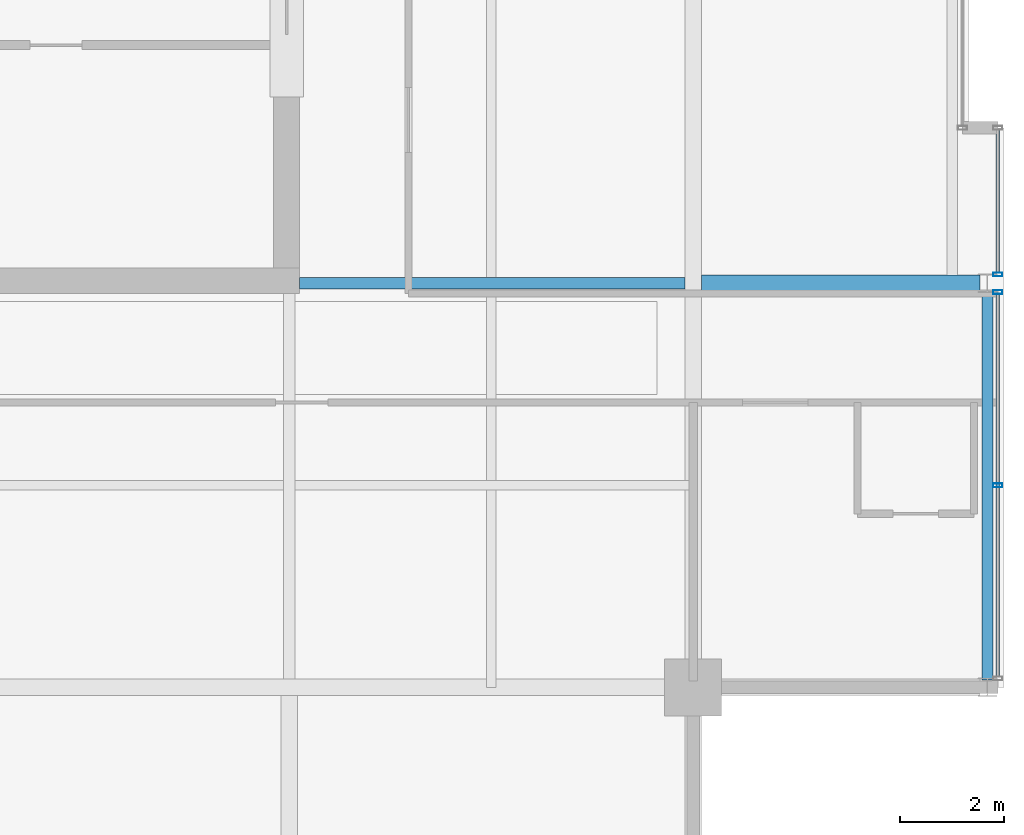
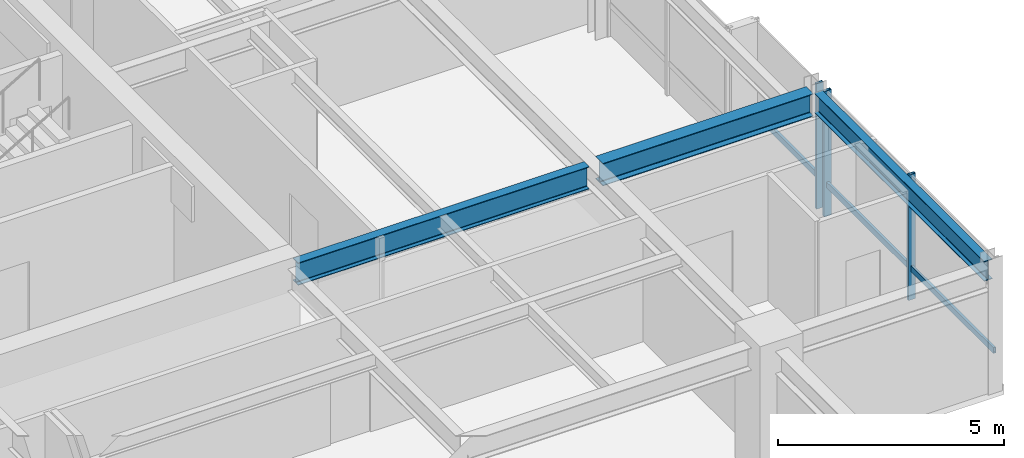
# One storey, part 16 of 33: 5 members, 3 beams, 2 elements without a shape of their own.
"""IFC4 building model written with IfcOpenShell, lengths in metres."""

from ifc_helpers import new_model, si_unit, direction, frame, origin, origin_2d, place, context, subcontext, project, spatial, hollow_rectangle, i_section, extrude, material, layer, layer_set, material_profile, profile_set, type_object, element, aggregate, save


model = new_model("IFC4")

# Units and contexts
model_context = context("Model", 3, precision=1e-05, world=origin(), true_north=direction((0.0, 1.0)))
body_context = subcontext(model_context, "Body", "Model", "MODEL_VIEW")
ifc_project = project(units=[si_unit("LENGTHUNIT", "METRE"), si_unit("AREAUNIT", "SQUARE_METRE"), si_unit("VOLUMEUNIT", "CUBIC_METRE"), si_unit("PLANEANGLEUNIT", "RADIAN"), si_unit("MASSUNIT", "GRAM", prefix="KILO")], contexts=[model_context])

# Site, building, storey
site_placement = place(None, origin())
site = spatial("IfcSite", under=ifc_project, at=site_placement, CompositionType="ELEMENT")
building_placement = place(site_placement, origin())
building = spatial("IfcBuilding", under=site, at=building_placement, Name="Drelvath Grand Hotel", CompositionType="ELEMENT")
storey_placement = place(building_placement, frame((0.0, 0.0, 279.60009765625)))
storey = spatial("IfcBuildingStorey", under=building, at=storey_placement, Name="L73", CompositionType="ELEMENT", Elevation=279.60009765625)

# Curtain wall, member
ifc_material_1 = material(Name="Platinum-Mist Anodised Aluminium Frame", Category="aluminium")
ifc_layer = layer(ifc_material_1, 0.199951171875)
ifc_layer_set = layer_set([ifc_layer], Name="Platinum-Mist Anodised Aluminium Frame")
curtain_wall_type = type_object("IfcCurtainWallType", Name="Stick Curtain Wall CW-05 Platinum Mist High-Rise", PredefinedType="NOTDEFINED", material=ifc_layer_set)
curtain_wall_1_placement = place(storey_placement, origin())
curtain_wall_1 = element("IfcCurtainWall", 1, at=curtain_wall_1_placement, inside=storey, type_object=curtain_wall_type, Name="L73 CW-05 Curtain Wall CW05-L73-ES1", PredefinedType="NOTDEFINED")
ifc_material_profile_1 = material_profile(ifc_material_1, hollow_rectangle(XDim=0.06494140625, YDim=0.159912109375, WallThickness=0.00390625, at=origin_2d()), Name="HSS160X65X4")
ifc_profile_set_1 = profile_set([ifc_material_profile_1], Name="Platinum-Mist Anodised Aluminium Frame")
member_type_1 = type_object("IfcMemberType", Name="Curtain Wall Horizontal Transom CW-05 HSS160X65X4", PredefinedType="USERDEFINED", material=ifc_profile_set_1)
member_1_placement = place(storey_placement, frame((22.080078125, 18.389892578125, 0.847412109375), z_axis=(0.0, -1.0, 0.0), x_axis=(1.0, 0.0, 0.0)))
member_1 = element("IfcMember", 2, at=member_1_placement, type_object=member_type_1, Name="CW05-L73-ES1 Sill Transom", ObjectType="TRANSOM", PredefinedType="USERDEFINED", context=body_context, shape_type="SweptSolid", body=[
    extrude(hollow_rectangle(XDim=0.06494140625, YDim=0.159912109375, WallThickness=0.00390625, at=origin_2d()), origin(), (0.0, 0.0, 1.0), 7.3798828125),
])

curtain_wall_2_placement = place(storey_placement, origin())
curtain_wall_2 = element("IfcCurtainWall", 3, at=curtain_wall_2_placement, inside=storey, type_object=curtain_wall_type, Name="L73 CW-05 Curtain Wall CW05-L73-ES2", PredefinedType="NOTDEFINED")
member_2_placement = place(storey_placement, frame((22.080078125, 21.56005859375, 0.847412109375), z_axis=(0.0, -1.0, 0.0), x_axis=(1.0, 0.0, 0.0)))
member_2 = element("IfcMember", 4, at=member_2_placement, type_object=member_type_1, Name="CW05-L73-ES2 Sill Transom", ObjectType="TRANSOM", PredefinedType="USERDEFINED", context=body_context, shape_type="SweptSolid", body=[
    extrude(hollow_rectangle(XDim=0.06494140625, YDim=0.159912109375, WallThickness=0.00390625, at=origin_2d()), origin(), (0.0, 0.0, 1.0), 2.75),
])

# Member
ifc_material_profile_2 = material_profile(ifc_material_1, hollow_rectangle(XDim=0.074951171875, YDim=0.179931640625, WallThickness=0.0048828125, at=origin_2d()), Name="HSS180X75X5")
ifc_profile_set_2 = profile_set([ifc_material_profile_2], Name="Platinum-Mist Anodised Aluminium Frame")
member_type_2 = type_object("IfcMemberType", Name="Curtain Wall Vertical Mullion CW-05 HSS180X75X5", PredefinedType="MULLION", material=ifc_profile_set_2)
member_3_placement = place(storey_placement, frame((22.080078125, 18.429931640625, 0.0), z_axis=(0.0, 0.0, 1.0), x_axis=(0.0, 1.0, 0.0)))
member_3 = element("IfcMember", 5, at=member_3_placement, type_object=member_type_2, Name="CW05-L73-ES1 Mullion 1", PredefinedType="MULLION", context=body_context, shape_type="SweptSolid", body=[
    extrude(hollow_rectangle(XDim=0.074951171875, YDim=0.179931640625, WallThickness=0.0048828125, at=origin_2d()), origin(), (0.0, 0.0, 1.0), 3.389892578125),
])

member_4_placement = place(storey_placement, frame((22.080078125, 14.7001953125, 0.0), z_axis=(0.0, 0.0, 1.0), x_axis=(0.0, 1.0, 0.0)))
member_4 = element("IfcMember", 6, at=member_4_placement, type_object=member_type_2, Name="CW05-L73-ES1 Mullion 2", PredefinedType="MULLION", context=body_context, shape_type="SweptSolid", body=[
    extrude(hollow_rectangle(XDim=0.074951171875, YDim=0.179931640625, WallThickness=0.0048828125, at=origin_2d()), origin(), (0.0, 0.0, 1.0), 3.389892578125),
])

aggregate(curtain_wall_1, [member_3, member_4, member_1])

member_5_placement = place(storey_placement, frame((22.080078125, 18.77001953125, 0.0), z_axis=(0.0, 0.0, 1.0), x_axis=(0.0, 1.0, 0.0)))
member_5 = element("IfcMember", 7, at=member_5_placement, type_object=member_type_2, Name="CW05-L73-ES2 Mullion 2", PredefinedType="MULLION", context=body_context, shape_type="SweptSolid", body=[
    extrude(hollow_rectangle(XDim=0.074951171875, YDim=0.179931640625, WallThickness=0.0048828125, at=origin_2d()), origin(), (0.0, 0.0, 1.0), 3.389892578125),
])

aggregate(curtain_wall_2, [member_5, member_2])

# Beams
ifc_material_2 = material(Name="Steel ASTM A992 Gr 50", Category="steel")
ifc_material_profile_3 = material_profile(ifc_material_2, i_section(OverallWidth=0.210205078125, OverallDepth=0.53662109375, WebThickness=0.010986328125, FlangeThickness=0.017333984375, FilletRadius=0.01806640625, at=origin_2d()), Name="W21X68")
ifc_profile_set_3 = profile_set([ifc_material_profile_3], Name="Steel ASTM A992 Gr 50")
beam_type_1 = type_object("IfcBeamType", Name="Perimeter Spandrel Beam W21X68", PredefinedType="SPANDREL", material=ifc_profile_set_3)
beam_1_placement = place(storey_placement, frame((21.8798828125, 10.93994140625, 3.12158203125), z_axis=(0.0, 1.0, 0.0), x_axis=(-1.0, 0.0, 0.0)))
element("IfcBeam", 8, at=beam_1_placement, inside=storey, type_object=beam_type_1, Name="L73 Spandrel East S", PredefinedType="SPANDREL", context=body_context, shape_type="SweptSolid", body=[
    extrude(i_section(OverallWidth=0.210205078125, OverallDepth=0.53662109375, WebThickness=0.010986328125, FlangeThickness=0.017333984375, FilletRadius=0.01806640625, at=origin_2d()), origin(), (0.0, 0.0, 1.0), 7.52001953125),
])
ifc_material_profile_4 = material_profile(ifc_material_2, i_section(OverallWidth=0.323974609375, OverallDepth=0.611083984375, WebThickness=0.0126953125, FlangeThickness=0.01904296875, FilletRadius=0.02197265625, at=origin_2d()), Name="W24X104")
ifc_profile_set_4 = profile_set([ifc_material_profile_4], Name="Steel ASTM A992 Gr 50")
beam_type_2 = type_object("IfcBeamType", Name="Primary Floor Girder W24X104", PredefinedType="BEAM", material=ifc_profile_set_4)
beam_2_placement = place(storey_placement, frame((16.362060546875, 18.60009765625, 3.08447265625), z_axis=(1.0, 0.0, 0.0), x_axis=(0.0, 1.0, 0.0)))
element("IfcBeam", 9, at=beam_2_placement, inside=storey, type_object=beam_type_2, Name="L73 East Wing Girder D", PredefinedType="BEAM", context=body_context, shape_type="SweptSolid", body=[
    extrude(i_section(OverallWidth=0.323974609375, OverallDepth=0.611083984375, WebThickness=0.0126953125, FlangeThickness=0.01904296875, FilletRadius=0.02197265625, at=origin_2d()), origin(), (0.0, 0.0, 1.0), 5.3779296875),
])
ifc_material_profile_5 = material_profile(ifc_material_2, i_section(OverallWidth=0.228271484375, OverallDepth=0.607666015625, WebThickness=0.01123046875, FlangeThickness=0.017333984375, FilletRadius=0.02001953125, at=origin_2d()), Name="W24X76")
ifc_profile_set_5 = profile_set([ifc_material_profile_5], Name="Steel ASTM A992 Gr 50")
beam_type_3 = type_object("IfcBeamType", Name="Primary Floor Girder W24X76", PredefinedType="BEAM", material=ifc_profile_set_5)
beam_3_placement = place(storey_placement, frame((8.60009765625, 18.60009765625, 3.086181640625), z_axis=(1.0, 0.0, 0.0), x_axis=(0.0, 1.0, 0.0)))
element("IfcBeam", 10, at=beam_3_placement, inside=storey, type_object=beam_type_3, Name="L73 East Core Tie D", PredefinedType="BEAM", context=body_context, shape_type="SweptSolid", body=[
    extrude(i_section(OverallWidth=0.228271484375, OverallDepth=0.607666015625, WebThickness=0.01123046875, FlangeThickness=0.017333984375, FilletRadius=0.02001953125, at=origin_2d()), origin(), (0.0, 0.0, 1.0), 7.43798828125),
])

save(model, "model.ifc")
